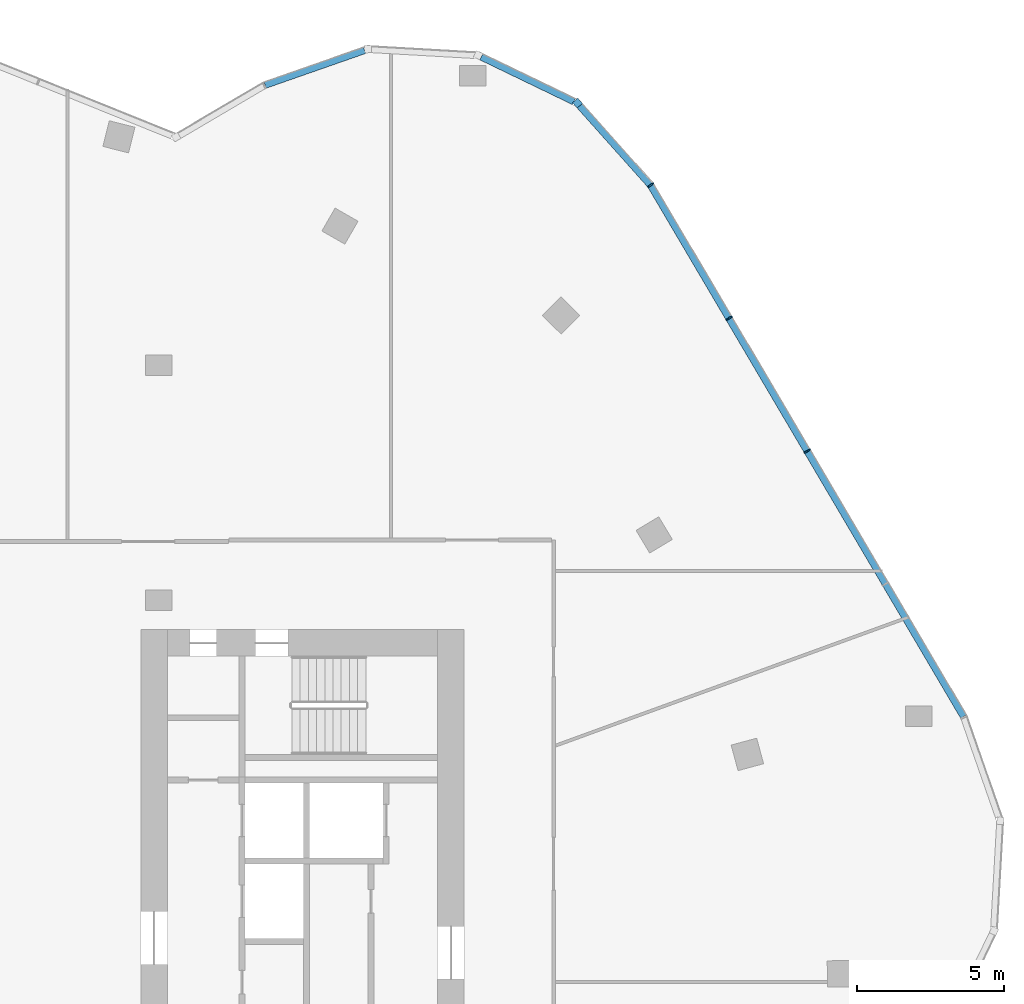
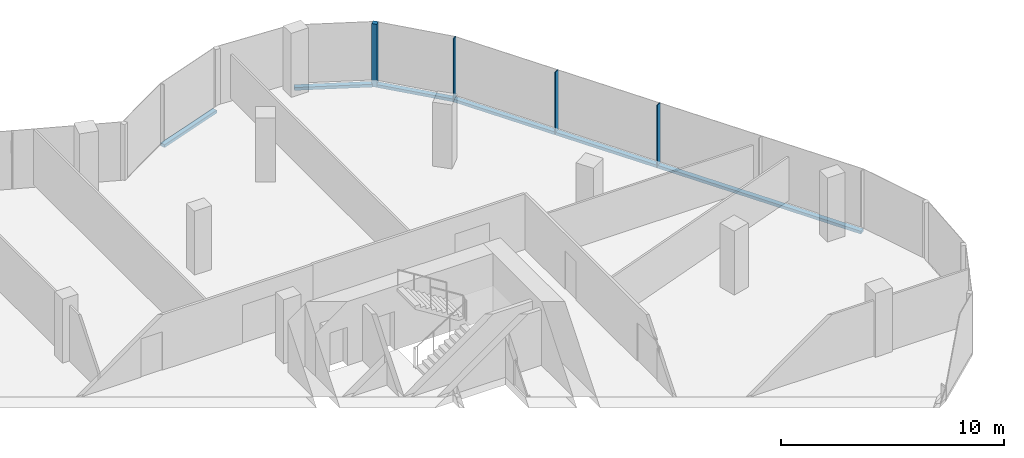
# One storey, part 8 of 17: 8 members, 4 elements without a shape of their own.
"""IFC4 building model written with IfcOpenShell, lengths in metres."""

from ifc_helpers import new_model, si_unit, direction, frame, origin, origin_2d, place, context, subcontext, project, spatial, rectangle, extrude, material, material_profile, profile_set, type_object, element, aggregate, save


model = new_model("IFC4")

# Units and contexts
model_context = context("Model", 3, precision=1e-05, world=origin(), true_north=direction((0.0, 1.0)))
body_context = subcontext(model_context, "Body", "Model", "MODEL_VIEW")
ifc_project = project(units=[si_unit("LENGTHUNIT", "METRE"), si_unit("AREAUNIT", "SQUARE_METRE"), si_unit("VOLUMEUNIT", "CUBIC_METRE"), si_unit("PLANEANGLEUNIT", "RADIAN"), si_unit("MASSUNIT", "GRAM", prefix="KILO")], contexts=[model_context])

# Site, building, storey
site_placement = place(None, origin())
site = spatial("IfcSite", under=ifc_project, at=site_placement, CompositionType="ELEMENT")
building_placement = place(site_placement, origin())
building = spatial("IfcBuilding", under=site, at=building_placement, Name="Orlundy Tower", CompositionType="ELEMENT")
storey_placement = place(building_placement, frame((0.0, 0.0, 296.39990234375)))
storey = spatial("IfcBuildingStorey", under=building, at=storey_placement, Name="L79", CompositionType="ELEMENT", Elevation=296.39990234375)

# Curtain wall, member
ifc_material_1 = material(Name="Aluminium bronze anodised", Category="aluminium")
curtain_wall_type = type_object("IfcCurtainWallType", Name="CW6 wall", PredefinedType="NOTDEFINED", material=ifc_material_1)
curtain_wall_1_placement = place(storey_placement, origin())
curtain_wall_1 = element("IfcCurtainWall", 1, at=curtain_wall_1_placement, inside=storey, type_object=curtain_wall_type, Name="CW6 run 012", PredefinedType="NOTDEFINED")
ifc_material_2 = material(Name="Aluminium bronze anodised", Category="aluminium")
ifc_material_profile_1 = material_profile(ifc_material_2, rectangle(XDim=0.239990234375, YDim=0.239990234375, at=origin_2d()), Name="CW6 corner post 240x240")
ifc_profile_set_1 = profile_set([ifc_material_profile_1], Name="Aluminium bronze anodised")
member_type_1 = type_object("IfcMemberType", Name="CW6 corner post 240x240", PredefinedType="MULLION", material=ifc_profile_set_1)
member_1_placement = place(storey_placement, frame((22.863525390625, 29.927734375, -0.39990234375), z_axis=(0.0, 0.0, 1.0), x_axis=(0.745904155272, 0.666053294525, 0.0)))
member_1 = element("IfcMember", 2, at=member_1_placement, type_object=member_type_1, Name="CW6 mullion 37", PredefinedType="MULLION", context=body_context, shape_type="SweptSolid", body=[
    extrude(rectangle(XDim=0.239990234375, YDim=0.239990234375, at=origin_2d()), origin(), (0.0, 0.0, 1.0), 3.449951171875),
])

# Curtain wall, members
curtain_wall_2_placement = place(storey_placement, origin())
curtain_wall_2 = element("IfcCurtainWall", 3, at=curtain_wall_2_placement, inside=storey, type_object=curtain_wall_type, Name="CW6 run 013", PredefinedType="NOTDEFINED")
ifc_material_3 = material(Name="Aluminium bronze anodised", Category="aluminium")
ifc_material_profile_2 = material_profile(ifc_material_3, rectangle(XDim=0.239990234375, YDim=0.050048828125, at=origin_2d()), Name="CW6 mullion 50x240")
ifc_profile_set_2 = profile_set([ifc_material_profile_2], Name="Aluminium bronze anodised")
member_type_2 = type_object("IfcMemberType", Name="CW6 mullion 50x240", PredefinedType="MULLION", material=ifc_profile_set_2)
member_2_placement = place(storey_placement, frame((25.3564453125, 27.135986328125, -0.39990234375), z_axis=(0.0, 0.0, 1.0), x_axis=(0.807667080972, 0.589638776129, 0.0)))
member_2 = element("IfcMember", 4, at=member_2_placement, type_object=member_type_2, Name="CW6 mullion 38", PredefinedType="MULLION", context=body_context, shape_type="SweptSolid", body=[
    extrude(rectangle(XDim=0.239990234375, YDim=0.050048828125, at=origin_2d()), origin(), (0.0, 0.0, 1.0), 3.449951171875),
])
member_3_placement = place(storey_placement, frame((28.02685546875, 22.602294921875, -0.39990234375), z_axis=(0.0, 0.0, 1.0), x_axis=(0.861632919827, 0.507531980737, 0.0)))
member_3 = element("IfcMember", 5, at=member_3_placement, type_object=member_type_2, Name="CW6 mullion 39", PredefinedType="MULLION", context=body_context, shape_type="SweptSolid", body=[
    extrude(rectangle(XDim=0.239990234375, YDim=0.050048828125, at=origin_2d()), origin(), (0.0, 0.0, 1.0), 3.449951171875),
])
member_4_placement = place(storey_placement, frame((30.69140625, 18.078857421875, -0.39990234375), z_axis=(0.0, 0.0, 1.0), x_axis=(0.861632919827, 0.507531980737, 0.0)))
member_4 = element("IfcMember", 6, at=member_4_placement, type_object=member_type_2, Name="CW6 mullion 40", PredefinedType="MULLION", context=body_context, shape_type="SweptSolid", body=[
    extrude(rectangle(XDim=0.239990234375, YDim=0.050048828125, at=origin_2d()), origin(), (0.0, 0.0, 1.0), 3.449951171875),
])

# Curtain wall, member
curtain_wall_3_placement = place(storey_placement, origin())
curtain_wall_3 = element("IfcCurtainWall", 7, at=curtain_wall_3_placement, inside=storey, type_object=curtain_wall_type, Name="CW6 run 09", PredefinedType="NOTDEFINED")
ifc_material_4 = material(Name="Aluminium bronze anodised", Category="aluminium")
ifc_material_profile_3 = material_profile(ifc_material_4, rectangle(XDim=0.239990234375, YDim=0.159912109375, at=origin_2d()), Name="CW6 transom 240x160")
ifc_profile_set_3 = profile_set([ifc_material_profile_3], Name="Aluminium bronze anodised")
member_type_3 = type_object("IfcMemberType", Name="CW6 transom 240x160", PredefinedType="USERDEFINED", material=ifc_profile_set_3)
member_5_placement = place(storey_placement, frame((12.22509765625, 30.546630859375, -0.31982421875), z_axis=(0.944080987072, 0.329713648261, 0.0), x_axis=(-0.329713648261, 0.944080987072, 0.0)))
member_5 = element("IfcMember", 8, at=member_5_placement, type_object=member_type_3, Name="CW6 transom", ObjectType="TRANSOM", PredefinedType="USERDEFINED", context=body_context, shape_type="SweptSolid", body=[
    extrude(rectangle(XDim=0.239990234375, YDim=0.159912109375, at=origin_2d()), origin(), (0.0, 0.0, 1.0), 3.5869140625),
])
aggregate(curtain_wall_3, [member_5])

curtain_wall_4_placement = place(storey_placement, origin())
curtain_wall_4 = element("IfcCurtainWall", 9, at=curtain_wall_4_placement, inside=storey, type_object=curtain_wall_type, Name="CW6 run 011", PredefinedType="NOTDEFINED")
member_6_placement = place(storey_placement, frame((19.5908203125, 31.50732421875, -0.31982421875), z_axis=(0.900582674137, -0.434684767441, 0.0), x_axis=(0.434684767441, 0.900582674137, 0.0)))
member_6 = element("IfcMember", 10, at=member_6_placement, type_object=member_type_3, Name="CW6 transom", ObjectType="TRANSOM", PredefinedType="USERDEFINED", context=body_context, shape_type="SweptSolid", body=[
    extrude(rectangle(XDim=0.239990234375, YDim=0.159912109375, at=origin_2d()), origin(), (0.0, 0.0, 1.0), 3.504150390625),
])
aggregate(curtain_wall_4, [member_6])

# Member
member_7_placement = place(storey_placement, frame((22.943603515625, 29.838134765625, -0.31982421875), z_axis=(0.666038696107, -0.745917190637, 0.0), x_axis=(0.745917190637, 0.666038696107, 0.0)))
member_7 = element("IfcMember", 11, at=member_7_placement, type_object=member_type_3, Name="CW6 transom", ObjectType="TRANSOM", PredefinedType="USERDEFINED", context=body_context, shape_type="SweptSolid", body=[
    extrude(rectangle(XDim=0.239990234375, YDim=0.159912109375, at=origin_2d()), origin(), (0.0, 0.0, 1.0), 3.597412109375),
])

aggregate(curtain_wall_1, [member_1, member_7])

member_8_placement = place(storey_placement, frame((25.369140625, 27.114501953125, -0.31982421875), z_axis=(0.507533842527, -0.861631823165, 0.0), x_axis=(0.861631823165, 0.507533842527, 0.0)))
member_8 = element("IfcMember", 12, at=member_8_placement, type_object=member_type_3, Name="CW6 transom", ObjectType="TRANSOM", PredefinedType="USERDEFINED", context=body_context, shape_type="SweptSolid", body=[
    extrude(rectangle(XDim=0.239990234375, YDim=0.159912109375, at=origin_2d()), origin(), (0.0, 0.0, 1.0), 20.97314453125),
])

aggregate(curtain_wall_2, [member_2, member_3, member_4, member_8])

save(model, "model.ifc")
